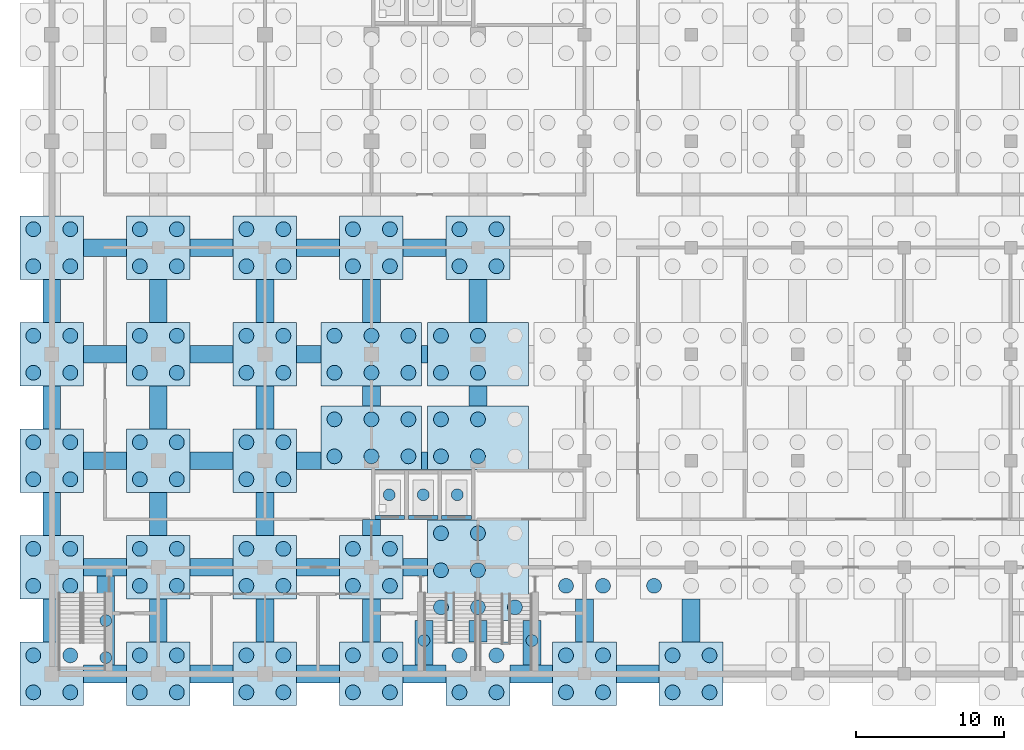
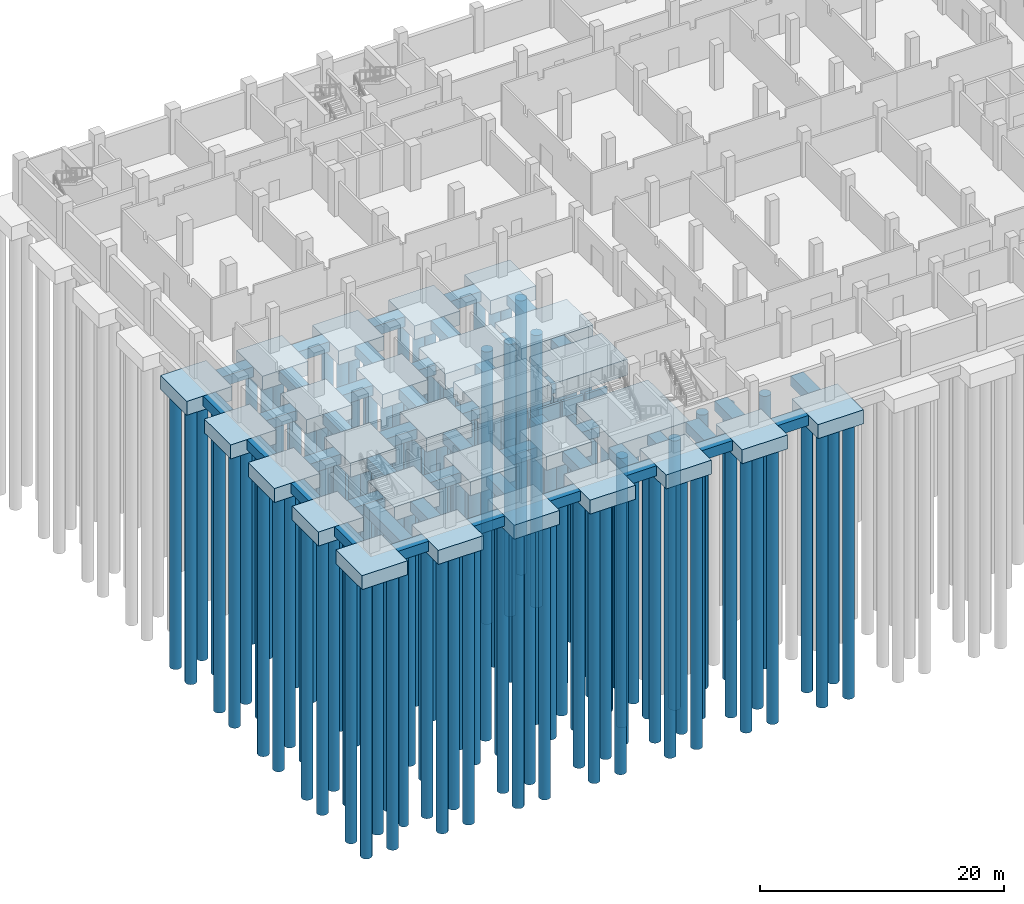
# One storey, part 1 of 19: 125 piles, 76 footings.
"""IFC4 building model written with IfcOpenShell, lengths in metres."""

from ifc_helpers import new_model, si_unit, direction, frame, origin, origin_2d, place, context, subcontext, project, spatial, rectangle, circle, extrude, material, material_profile, profile_set, type_object, element, save


model = new_model("IFC4")

# Units and contexts
model_context = context("Model", 3, precision=1e-05, world=origin(), true_north=direction((0.0, 1.0)))
body_context = subcontext(model_context, "Body", "Model", "MODEL_VIEW")
ifc_project = project(units=[si_unit("LENGTHUNIT", "METRE"), si_unit("AREAUNIT", "SQUARE_METRE"), si_unit("VOLUMEUNIT", "CUBIC_METRE"), si_unit("PLANEANGLEUNIT", "RADIAN"), si_unit("MASSUNIT", "GRAM", prefix="KILO")], contexts=[model_context])

# Site, building, storey
site_placement = place(None, origin())
site = spatial("IfcSite", under=ifc_project, at=site_placement, CompositionType="ELEMENT")
building_placement = place(site_placement, origin())
building = spatial("IfcBuilding", under=site, at=building_placement, Name="Silangan Lancet Faculty of Sciences", CompositionType="ELEMENT")
storey_placement = place(building_placement, frame((0.0, 0.0, -4.5)))
storey = spatial("IfcBuildingStorey", under=building, at=storey_placement, Name="B1", CompositionType="ELEMENT", Elevation=-4.5)

# Footings
ifc_material_1 = material(Name="Concrete C40/50", Category="concrete")
footing_type_1 = type_object("IfcFootingType", Name="LIFT PIT WALL RC 250", PredefinedType="STRIP_FOOTING", material=ifc_material_1)
for number, where, z_axis, x_axis, name in (
    (1, (22.85009765625, 10.574951171875, -1.60009765625), (0.0, 0.0, 1.0), (1.0, 0.0, 0.0), "PITWALL-ST-L1"),
    (2, (25.10009765625, 10.574951171875, -1.60009765625), (0.0, 0.0, 1.0), (1.0, 0.0, 0.0), "PITWALL-ST-L2"),
    (3, (27.35009765625, 10.574951171875, -1.60009765625), (0.0, 0.0, 1.0), (1.0, 0.0, 0.0), "PITWALL-ST-L3"),
):
    element("IfcFooting", number, at=place(storey_placement, frame(where, z_axis=z_axis, x_axis=x_axis)), inside=storey, type_object=footing_type_1, Name=name, PredefinedType="STRIP_FOOTING", context=body_context, shape_type="SweptSolid", body=[
        extrude(rectangle(XDim=2.0, YDim=0.25, at=origin_2d()), origin(), (0.0, 0.0, 1.0), 1.60009765625),
    ])

# Piles
ifc_material_2 = material(Name="Concrete C30/37", Category="concrete")
ifc_material_profile_1 = material_profile(ifc_material_2, circle(Radius=0.5, at=origin_2d()), Name="BORED PILE D1000")
ifc_profile_set_1 = profile_set([ifc_material_profile_1], Name="Concrete C30/37")
pile_type_1 = type_object("IfcPileType", Name="PILE BORED D1000", PredefinedType="BORED", material=ifc_profile_set_1)
for number, where, z_axis, x_axis, name in (
    (4, (-1.25, -1.25, -2.0), (0.0, 0.0, -1.0), (1.0, 0.0, 0.0), "PILE-1A-1"),
    (5, (1.25, -1.25, -2.0), (0.0, 0.0, -1.0), (1.0, 0.0, 0.0), "PILE-1A-2"),
    (6, (-1.25, 1.25, -2.0), (0.0, 0.0, -1.0), (1.0, 0.0, 0.0), "PILE-1A-3"),
    (7, (1.25, 1.25, -2.0), (0.0, 0.0, -1.0), (1.0, 0.0, 0.0), "PILE-1A-4"),
    (8, (-1.25, 5.949951171875, -2.0), (0.0, 0.0, -1.0), (1.0, 0.0, 0.0), "PILE-1B-1"),
    (9, (1.25, 5.949951171875, -2.0), (0.0, 0.0, -1.0), (1.0, 0.0, 0.0), "PILE-1B-2"),
    (10, (-1.25, 8.449951171875, -2.0), (0.0, 0.0, -1.0), (1.0, 0.0, 0.0), "PILE-1B-3"),
    (11, (1.25, 8.449951171875, -2.0), (0.0, 0.0, -1.0), (1.0, 0.0, 0.0), "PILE-1B-4"),
    (12, (-1.25, 13.14990234375, -2.0), (0.0, 0.0, -1.0), (1.0, 0.0, 0.0), "PILE-1C-1"),
    (13, (1.25, 13.14990234375, -2.0), (0.0, 0.0, -1.0), (1.0, 0.0, 0.0), "PILE-1C-2"),
    (14, (-1.25, 15.64990234375, -2.0), (0.0, 0.0, -1.0), (1.0, 0.0, 0.0), "PILE-1C-3"),
    (15, (1.25, 15.64990234375, -2.0), (0.0, 0.0, -1.0), (1.0, 0.0, 0.0), "PILE-1C-4"),
    (16, (-1.25, 20.35009765625, -2.0), (0.0, 0.0, -1.0), (1.0, 0.0, 0.0), "PILE-1D-1"),
    (17, (1.25, 20.35009765625, -2.0), (0.0, 0.0, -1.0), (1.0, 0.0, 0.0), "PILE-1D-2"),
    (18, (-1.25, 22.85009765625, -2.0), (0.0, 0.0, -1.0), (1.0, 0.0, 0.0), "PILE-1D-3"),
    (19, (1.25, 22.85009765625, -2.0), (0.0, 0.0, -1.0), (1.0, 0.0, 0.0), "PILE-1D-4"),
    (20, (-1.25, 27.550048828125, -2.0), (0.0, 0.0, -1.0), (1.0, 0.0, 0.0), "PILE-1E-1"),
    (21, (1.25, 27.550048828125, -2.0), (0.0, 0.0, -1.0), (1.0, 0.0, 0.0), "PILE-1E-2"),
    (22, (-1.25, 30.050048828125, -2.0), (0.0, 0.0, -1.0), (1.0, 0.0, 0.0), "PILE-1E-3"),
    (23, (1.25, 30.050048828125, -2.0), (0.0, 0.0, -1.0), (1.0, 0.0, 0.0), "PILE-1E-4"),
    (24, (5.949951171875, -1.25, -2.0), (0.0, 0.0, -1.0), (1.0, 0.0, 0.0), "PILE-2A-1"),
    (25, (8.449951171875, -1.25, -2.0), (0.0, 0.0, -1.0), (1.0, 0.0, 0.0), "PILE-2A-2"),
    (26, (5.949951171875, 1.25, -2.0), (0.0, 0.0, -1.0), (1.0, 0.0, 0.0), "PILE-2A-3"),
    (27, (8.449951171875, 1.25, -2.0), (0.0, 0.0, -1.0), (1.0, 0.0, 0.0), "PILE-2A-4"),
    (28, (5.949951171875, 5.949951171875, -2.0), (0.0, 0.0, -1.0), (1.0, 0.0, 0.0), "PILE-2B-1"),
    (29, (8.449951171875, 5.949951171875, -2.0), (0.0, 0.0, -1.0), (1.0, 0.0, 0.0), "PILE-2B-2"),
    (30, (5.949951171875, 8.449951171875, -2.0), (0.0, 0.0, -1.0), (1.0, 0.0, 0.0), "PILE-2B-3"),
    (31, (8.449951171875, 8.449951171875, -2.0), (0.0, 0.0, -1.0), (1.0, 0.0, 0.0), "PILE-2B-4"),
    (32, (5.949951171875, 13.14990234375, -2.0), (0.0, 0.0, -1.0), (1.0, 0.0, 0.0), "PILE-2C-1"),
    (33, (8.449951171875, 13.14990234375, -2.0), (0.0, 0.0, -1.0), (1.0, 0.0, 0.0), "PILE-2C-2"),
    (34, (5.949951171875, 15.64990234375, -2.0), (0.0, 0.0, -1.0), (1.0, 0.0, 0.0), "PILE-2C-3"),
    (35, (8.449951171875, 15.64990234375, -2.0), (0.0, 0.0, -1.0), (1.0, 0.0, 0.0), "PILE-2C-4"),
    (36, (5.949951171875, 20.35009765625, -2.0), (0.0, 0.0, -1.0), (1.0, 0.0, 0.0), "PILE-2D-1"),
    (37, (8.449951171875, 20.35009765625, -2.0), (0.0, 0.0, -1.0), (1.0, 0.0, 0.0), "PILE-2D-2"),
    (38, (5.949951171875, 22.85009765625, -2.0), (0.0, 0.0, -1.0), (1.0, 0.0, 0.0), "PILE-2D-3"),
    (39, (8.449951171875, 22.85009765625, -2.0), (0.0, 0.0, -1.0), (1.0, 0.0, 0.0), "PILE-2D-4"),
    (40, (5.949951171875, 27.550048828125, -2.0), (0.0, 0.0, -1.0), (1.0, 0.0, 0.0), "PILE-2E-1"),
    (41, (8.449951171875, 27.550048828125, -2.0), (0.0, 0.0, -1.0), (1.0, 0.0, 0.0), "PILE-2E-2"),
    (42, (5.949951171875, 30.050048828125, -2.0), (0.0, 0.0, -1.0), (1.0, 0.0, 0.0), "PILE-2E-3"),
    (43, (8.449951171875, 30.050048828125, -2.0), (0.0, 0.0, -1.0), (1.0, 0.0, 0.0), "PILE-2E-4"),
    (44, (13.14990234375, -1.25, -2.0), (0.0, 0.0, -1.0), (1.0, 0.0, 0.0), "PILE-3A-1"),
    (45, (15.64990234375, -1.25, -2.0), (0.0, 0.0, -1.0), (1.0, 0.0, 0.0), "PILE-3A-2"),
    (46, (13.14990234375, 1.25, -2.0), (0.0, 0.0, -1.0), (1.0, 0.0, 0.0), "PILE-3A-3"),
    (47, (15.64990234375, 1.25, -2.0), (0.0, 0.0, -1.0), (1.0, 0.0, 0.0), "PILE-3A-4"),
    (48, (13.14990234375, 5.949951171875, -2.0), (0.0, 0.0, -1.0), (1.0, 0.0, 0.0), "PILE-3B-1"),
    (49, (15.64990234375, 5.949951171875, -2.0), (0.0, 0.0, -1.0), (1.0, 0.0, 0.0), "PILE-3B-2"),
    (50, (13.14990234375, 8.449951171875, -2.0), (0.0, 0.0, -1.0), (1.0, 0.0, 0.0), "PILE-3B-3"),
    (51, (15.64990234375, 8.449951171875, -2.0), (0.0, 0.0, -1.0), (1.0, 0.0, 0.0), "PILE-3B-4"),
    (52, (13.14990234375, 13.14990234375, -2.0), (0.0, 0.0, -1.0), (1.0, 0.0, 0.0), "PILE-3C-1"),
    (53, (15.64990234375, 13.14990234375, -2.0), (0.0, 0.0, -1.0), (1.0, 0.0, 0.0), "PILE-3C-2"),
    (54, (13.14990234375, 15.64990234375, -2.0), (0.0, 0.0, -1.0), (1.0, 0.0, 0.0), "PILE-3C-3"),
    (55, (15.64990234375, 15.64990234375, -2.0), (0.0, 0.0, -1.0), (1.0, 0.0, 0.0), "PILE-3C-4"),
    (56, (13.14990234375, 20.35009765625, -2.0), (0.0, 0.0, -1.0), (1.0, 0.0, 0.0), "PILE-3D-1"),
    (57, (15.64990234375, 20.35009765625, -2.0), (0.0, 0.0, -1.0), (1.0, 0.0, 0.0), "PILE-3D-2"),
    (58, (13.14990234375, 22.85009765625, -2.0), (0.0, 0.0, -1.0), (1.0, 0.0, 0.0), "PILE-3D-3"),
    (59, (15.64990234375, 22.85009765625, -2.0), (0.0, 0.0, -1.0), (1.0, 0.0, 0.0), "PILE-3D-4"),
    (60, (13.14990234375, 27.550048828125, -2.0), (0.0, 0.0, -1.0), (1.0, 0.0, 0.0), "PILE-3E-1"),
    (61, (15.64990234375, 27.550048828125, -2.0), (0.0, 0.0, -1.0), (1.0, 0.0, 0.0), "PILE-3E-2"),
    (62, (13.14990234375, 30.050048828125, -2.0), (0.0, 0.0, -1.0), (1.0, 0.0, 0.0), "PILE-3E-3"),
    (63, (15.64990234375, 30.050048828125, -2.0), (0.0, 0.0, -1.0), (1.0, 0.0, 0.0), "PILE-3E-4"),
    (64, (20.35009765625, -1.25, -2.0), (0.0, 0.0, -1.0), (1.0, 0.0, 0.0), "PILE-4A-1"),
    (65, (22.85009765625, -1.25, -2.0), (0.0, 0.0, -1.0), (1.0, 0.0, 0.0), "PILE-4A-2"),
    (66, (20.35009765625, 1.25, -2.0), (0.0, 0.0, -1.0), (1.0, 0.0, 0.0), "PILE-4A-3"),
    (67, (22.85009765625, 1.25, -2.0), (0.0, 0.0, -1.0), (1.0, 0.0, 0.0), "PILE-4A-4"),
    (68, (20.35009765625, 5.949951171875, -2.0), (0.0, 0.0, -1.0), (1.0, 0.0, 0.0), "PILE-4B-1"),
    (69, (22.85009765625, 5.949951171875, -2.0), (0.0, 0.0, -1.0), (1.0, 0.0, 0.0), "PILE-4B-2"),
    (70, (20.35009765625, 8.449951171875, -2.0), (0.0, 0.0, -1.0), (1.0, 0.0, 0.0), "PILE-4B-3"),
    (71, (22.85009765625, 8.449951171875, -2.0), (0.0, 0.0, -1.0), (1.0, 0.0, 0.0), "PILE-4B-4"),
):
    element("IfcPile", number, at=place(storey_placement, frame(where, z_axis=z_axis, x_axis=x_axis)), inside=storey, type_object=pile_type_1, Name=name, PredefinedType="BORED", context=body_context, shape_type="SweptSolid", body=[
        extrude(circle(Radius=0.5, at=origin_2d()), origin(), (0.0, 0.0, 1.0), 27.5),
    ])
for number, where, z_axis, x_axis, name in (
    (72, (19.10009765625, 14.699951171875, -2.199951171875), (0.0, 0.0, -1.0), (1.0, 0.0, 0.0), "PILE-4C-1"),
    (73, (21.60009765625, 14.699951171875, -2.199951171875), (0.0, 0.0, -1.0), (1.0, 0.0, 0.0), "PILE-4C-2"),
    (74, (24.10009765625, 14.699951171875, -2.199951171875), (0.0, 0.0, -1.0), (1.0, 0.0, 0.0), "PILE-4C-3"),
    (75, (19.10009765625, 17.199951171875, -2.199951171875), (0.0, 0.0, -1.0), (1.0, 0.0, 0.0), "PILE-4C-4"),
    (76, (21.60009765625, 17.199951171875, -2.199951171875), (0.0, 0.0, -1.0), (1.0, 0.0, 0.0), "PILE-4C-5"),
    (77, (24.10009765625, 17.199951171875, -2.199951171875), (0.0, 0.0, -1.0), (1.0, 0.0, 0.0), "PILE-4C-6"),
    (78, (19.10009765625, 20.35009765625, -2.199951171875), (0.0, 0.0, -1.0), (1.0, 0.0, 0.0), "PILE-4D-1"),
    (79, (21.60009765625, 20.35009765625, -2.199951171875), (0.0, 0.0, -1.0), (1.0, 0.0, 0.0), "PILE-4D-2"),
    (80, (24.10009765625, 20.35009765625, -2.199951171875), (0.0, 0.0, -1.0), (1.0, 0.0, 0.0), "PILE-4D-3"),
    (81, (19.10009765625, 22.85009765625, -2.199951171875), (0.0, 0.0, -1.0), (1.0, 0.0, 0.0), "PILE-4D-4"),
    (82, (21.60009765625, 22.85009765625, -2.199951171875), (0.0, 0.0, -1.0), (1.0, 0.0, 0.0), "PILE-4D-5"),
    (83, (24.10009765625, 22.85009765625, -2.199951171875), (0.0, 0.0, -1.0), (1.0, 0.0, 0.0), "PILE-4D-6"),
):
    element("IfcPile", number, at=place(storey_placement, frame(where, z_axis=z_axis, x_axis=x_axis)), inside=storey, type_object=pile_type_1, Name=name, PredefinedType="BORED", context=body_context, shape_type="SweptSolid", body=[
        extrude(circle(Radius=0.5, at=origin_2d()), origin(), (0.0, 0.0, 1.0), 27.300048828125),
    ])
for number, where, z_axis, x_axis, name in (
    (84, (20.35009765625, 27.550048828125, -2.0), (0.0, 0.0, -1.0), (1.0, 0.0, 0.0), "PILE-4E-1"),
    (85, (22.85009765625, 27.550048828125, -2.0), (0.0, 0.0, -1.0), (1.0, 0.0, 0.0), "PILE-4E-2"),
    (86, (20.35009765625, 30.050048828125, -2.0), (0.0, 0.0, -1.0), (1.0, 0.0, 0.0), "PILE-4E-3"),
    (87, (22.85009765625, 30.050048828125, -2.0), (0.0, 0.0, -1.0), (1.0, 0.0, 0.0), "PILE-4E-4"),
    (88, (27.550048828125, -1.25, -2.0), (0.0, 0.0, -1.0), (1.0, 0.0, 0.0), "PILE-5A-1"),
    (89, (30.050048828125, -1.25, -2.0), (0.0, 0.0, -1.0), (1.0, 0.0, 0.0), "PILE-5A-2"),
    (90, (27.550048828125, 1.25, -2.0), (0.0, 0.0, -1.0), (1.0, 0.0, 0.0), "PILE-5A-3"),
    (91, (30.050048828125, 1.25, -2.0), (0.0, 0.0, -1.0), (1.0, 0.0, 0.0), "PILE-5A-4"),
):
    element("IfcPile", number, at=place(storey_placement, frame(where, z_axis=z_axis, x_axis=x_axis)), inside=storey, type_object=pile_type_1, Name=name, PredefinedType="BORED", context=body_context, shape_type="SweptSolid", body=[
        extrude(circle(Radius=0.5, at=origin_2d()), origin(), (0.0, 0.0, 1.0), 27.5),
    ])
for number, where, z_axis, x_axis, name in (
    (92, (26.300048828125, 4.5, -2.5), (0.0, 0.0, -1.0), (1.0, 0.0, 0.0), "PILE-5B-1"),
    (93, (28.800048828125, 4.5, -2.5), (0.0, 0.0, -1.0), (1.0, 0.0, 0.0), "PILE-5B-2"),
    (94, (31.300048828125, 4.5, -2.5), (0.0, 0.0, -1.0), (1.0, 0.0, 0.0), "PILE-5B-3"),
    (95, (26.300048828125, 7.0, -2.5), (0.0, 0.0, -1.0), (1.0, 0.0, 0.0), "PILE-5B-4"),
    (96, (28.800048828125, 7.0, -2.5), (0.0, 0.0, -1.0), (1.0, 0.0, 0.0), "PILE-5B-5"),
    (97, (26.300048828125, 9.5, -2.5), (0.0, 0.0, -1.0), (1.0, 0.0, 0.0), "PILE-5B-7"),
    (98, (28.800048828125, 9.5, -2.5), (0.0, 0.0, -1.0), (1.0, 0.0, 0.0), "PILE-5B-8"),
):
    element("IfcPile", number, at=place(storey_placement, frame(where, z_axis=z_axis, x_axis=x_axis)), inside=storey, type_object=pile_type_1, Name=name, PredefinedType="BORED", context=body_context, shape_type="SweptSolid", body=[
        extrude(circle(Radius=0.5, at=origin_2d()), origin(), (0.0, 0.0, 1.0), 27.0),
    ])
for number, where, z_axis, x_axis, name in (
    (99, (26.300048828125, 14.699951171875, -2.199951171875), (0.0, 0.0, -1.0), (1.0, 0.0, 0.0), "PILE-5C-1"),
    (100, (28.800048828125, 14.699951171875, -2.199951171875), (0.0, 0.0, -1.0), (1.0, 0.0, 0.0), "PILE-5C-2"),
    (101, (26.300048828125, 17.199951171875, -2.199951171875), (0.0, 0.0, -1.0), (1.0, 0.0, 0.0), "PILE-5C-4"),
    (102, (28.800048828125, 17.199951171875, -2.199951171875), (0.0, 0.0, -1.0), (1.0, 0.0, 0.0), "PILE-5C-5"),
    (103, (26.300048828125, 20.35009765625, -2.199951171875), (0.0, 0.0, -1.0), (1.0, 0.0, 0.0), "PILE-5D-1"),
    (104, (28.800048828125, 20.35009765625, -2.199951171875), (0.0, 0.0, -1.0), (1.0, 0.0, 0.0), "PILE-5D-2"),
    (105, (26.300048828125, 22.85009765625, -2.199951171875), (0.0, 0.0, -1.0), (1.0, 0.0, 0.0), "PILE-5D-4"),
    (106, (28.800048828125, 22.85009765625, -2.199951171875), (0.0, 0.0, -1.0), (1.0, 0.0, 0.0), "PILE-5D-5"),
):
    element("IfcPile", number, at=place(storey_placement, frame(where, z_axis=z_axis, x_axis=x_axis)), inside=storey, type_object=pile_type_1, Name=name, PredefinedType="BORED", context=body_context, shape_type="SweptSolid", body=[
        extrude(circle(Radius=0.5, at=origin_2d()), origin(), (0.0, 0.0, 1.0), 27.300048828125),
    ])
for number, where, z_axis, x_axis, name in (
    (107, (27.550048828125, 27.550048828125, -2.0), (0.0, 0.0, -1.0), (1.0, 0.0, 0.0), "PILE-5E-1"),
    (108, (30.050048828125, 27.550048828125, -2.0), (0.0, 0.0, -1.0), (1.0, 0.0, 0.0), "PILE-5E-2"),
    (109, (27.550048828125, 30.050048828125, -2.0), (0.0, 0.0, -1.0), (1.0, 0.0, 0.0), "PILE-5E-3"),
    (110, (30.050048828125, 30.050048828125, -2.0), (0.0, 0.0, -1.0), (1.0, 0.0, 0.0), "PILE-5E-4"),
    (111, (34.75, -1.25, -2.0), (0.0, 0.0, -1.0), (1.0, 0.0, 0.0), "PILE-6A-1"),
    (112, (37.25, -1.25, -2.0), (0.0, 0.0, -1.0), (1.0, 0.0, 0.0), "PILE-6A-2"),
    (113, (34.75, 1.25, -2.0), (0.0, 0.0, -1.0), (1.0, 0.0, 0.0), "PILE-6A-3"),
    (114, (37.25, 1.25, -2.0), (0.0, 0.0, -1.0), (1.0, 0.0, 0.0), "PILE-6A-4"),
    (115, (34.75, 5.949951171875, -2.0), (0.0, 0.0, -1.0), (1.0, 0.0, 0.0), "PILE-6B-1"),
    (116, (37.25, 5.949951171875, -2.0), (0.0, 0.0, -1.0), (1.0, 0.0, 0.0), "PILE-6B-2"),
    (117, (41.949951171875, -1.25, -2.0), (0.0, 0.0, -1.0), (1.0, 0.0, 0.0), "PILE-7A-1"),
    (118, (44.449951171875, -1.25, -2.0), (0.0, 0.0, -1.0), (1.0, 0.0, 0.0), "PILE-7A-2"),
    (119, (41.949951171875, 1.25, -2.0), (0.0, 0.0, -1.0), (1.0, 0.0, 0.0), "PILE-7A-3"),
    (120, (44.449951171875, 1.25, -2.0), (0.0, 0.0, -1.0), (1.0, 0.0, 0.0), "PILE-7A-4"),
):
    element("IfcPile", number, at=place(storey_placement, frame(where, z_axis=z_axis, x_axis=x_axis)), inside=storey, type_object=pile_type_1, Name=name, PredefinedType="BORED", context=body_context, shape_type="SweptSolid", body=[
        extrude(circle(Radius=0.5, at=origin_2d()), origin(), (0.0, 0.0, 1.0), 27.5),
    ])
pile_placement = place(storey_placement, frame((40.699951171875, 5.949951171875, -2.199951171875), z_axis=(0.0, 0.0, -1.0), x_axis=(1.0, 0.0, 0.0)))
element("IfcPile", 121, at=pile_placement, inside=storey, type_object=pile_type_1, Name="PILE-7B-1", PredefinedType="BORED", context=body_context, shape_type="SweptSolid", body=[
    extrude(circle(Radius=0.5, at=origin_2d()), origin(), (0.0, 0.0, 1.0), 27.300048828125),
])
ifc_material_3 = material(Name="Concrete C30/37", Category="concrete")
ifc_material_profile_2 = material_profile(ifc_material_3, circle(Radius=0.39990234375, at=origin_2d()), Name="BORED PILE D800")
ifc_profile_set_2 = profile_set([ifc_material_profile_2], Name="Concrete C30/37")
pile_type_2 = type_object("IfcPileType", Name="PILE BORED D800", PredefinedType="BORED", material=ifc_profile_set_2)
for number, where, z_axis, x_axis, name in (
    (122, (3.64990234375, 3.60009765625, -1.60009765625), (0.0, 0.0, -1.0), (1.0, 0.0, 0.0), "PILE-FB-WST-A-1"),
    (123, (3.64990234375, 1.10009765625, -1.60009765625), (0.0, 0.0, -1.0), (1.0, 0.0, 0.0), "PILE-FB-WST-A-2"),
    (124, (25.14990234375, 2.25, -1.60009765625), (0.0, 0.0, -1.0), (1.0, 0.0, 0.0), "PILE-FB-WST-B-1"),
    (125, (32.449951171875, 2.25, -1.60009765625), (0.0, 0.0, -1.0), (1.0, 0.0, 0.0), "PILE-FB-WSAB-A-1"),
):
    element("IfcPile", number, at=place(storey_placement, frame(where, z_axis=z_axis, x_axis=x_axis)), inside=storey, type_object=pile_type_2, Name=name, PredefinedType="BORED", context=body_context, shape_type="SweptSolid", body=[
        extrude(circle(Radius=0.39990234375, at=origin_2d()), origin(), (0.0, 0.0, 1.0), 27.89990234375),
    ])
for number, where, z_axis, x_axis, name in (
    (126, (22.800048828125, 12.10009765625, -2.199951171875), (0.0, 0.0, -1.0), (1.0, 0.0, 0.0), "PILE-PIT-ST-1"),
    (127, (25.10009765625, 12.10009765625, -2.199951171875), (0.0, 0.0, -1.0), (1.0, 0.0, 0.0), "PILE-PIT-ST-2"),
    (128, (27.39990234375, 12.10009765625, -2.199951171875), (0.0, 0.0, -1.0), (1.0, 0.0, 0.0), "PILE-PIT-ST-3"),
):
    element("IfcPile", number, at=place(storey_placement, frame(where, z_axis=z_axis, x_axis=x_axis)), inside=storey, type_object=pile_type_2, Name=name, PredefinedType="BORED", context=body_context, shape_type="SweptSolid", body=[
        extrude(circle(Radius=0.39990234375, at=origin_2d()), origin(), (0.0, 0.0, 1.0), 27.300048828125),
    ])

# Footings
ifc_material_4 = material(Name="Concrete C30/37", Category="concrete")
footing_type_2 = type_object("IfcFootingType", Name="PILE CAP 4 PILES 4300x4300x1400", PredefinedType="PILE_CAP", material=ifc_material_4)
for number, where, z_axis, x_axis, name in (
    (129, (0.0, 0.0, -2.0), (0.0, 0.0, 1.0), (1.0, 0.0, 0.0), "CAP-1A"),
    (130, (0.0, 7.199951171875, -2.0), (0.0, 0.0, 1.0), (1.0, 0.0, 0.0), "CAP-1B"),
    (131, (0.0, 14.39990234375, -2.0), (0.0, 0.0, 1.0), (1.0, 0.0, 0.0), "CAP-1C"),
    (132, (0.0, 21.60009765625, -2.0), (0.0, 0.0, 1.0), (1.0, 0.0, 0.0), "CAP-1D"),
    (133, (0.0, 28.800048828125, -2.0), (0.0, 0.0, 1.0), (1.0, 0.0, 0.0), "CAP-1E"),
    (134, (7.199951171875, 0.0, -2.0), (0.0, 0.0, 1.0), (1.0, 0.0, 0.0), "CAP-2A"),
    (135, (7.199951171875, 7.199951171875, -2.0), (0.0, 0.0, 1.0), (1.0, 0.0, 0.0), "CAP-2B"),
    (136, (7.199951171875, 14.39990234375, -2.0), (0.0, 0.0, 1.0), (1.0, 0.0, 0.0), "CAP-2C"),
    (137, (7.199951171875, 21.60009765625, -2.0), (0.0, 0.0, 1.0), (1.0, 0.0, 0.0), "CAP-2D"),
    (138, (7.199951171875, 28.800048828125, -2.0), (0.0, 0.0, 1.0), (1.0, 0.0, 0.0), "CAP-2E"),
    (139, (14.39990234375, 0.0, -2.0), (0.0, 0.0, 1.0), (1.0, 0.0, 0.0), "CAP-3A"),
    (140, (14.39990234375, 7.199951171875, -2.0), (0.0, 0.0, 1.0), (1.0, 0.0, 0.0), "CAP-3B"),
    (141, (14.39990234375, 14.39990234375, -2.0), (0.0, 0.0, 1.0), (1.0, 0.0, 0.0), "CAP-3C"),
    (142, (14.39990234375, 21.60009765625, -2.0), (0.0, 0.0, 1.0), (1.0, 0.0, 0.0), "CAP-3D"),
    (143, (14.39990234375, 28.800048828125, -2.0), (0.0, 0.0, 1.0), (1.0, 0.0, 0.0), "CAP-3E"),
    (144, (21.60009765625, 0.0, -2.0), (0.0, 0.0, 1.0), (1.0, 0.0, 0.0), "CAP-4A"),
    (145, (21.60009765625, 7.199951171875, -2.0), (0.0, 0.0, 1.0), (1.0, 0.0, 0.0), "CAP-4B"),
    (146, (21.60009765625, 28.800048828125, -2.0), (0.0, 0.0, 1.0), (1.0, 0.0, 0.0), "CAP-4E"),
    (147, (28.800048828125, 0.0, -2.0), (0.0, 0.0, 1.0), (1.0, 0.0, 0.0), "CAP-5A"),
    (148, (28.800048828125, 28.800048828125, -2.0), (0.0, 0.0, 1.0), (1.0, 0.0, 0.0), "CAP-5E"),
    (149, (36.0, 0.0, -2.0), (0.0, 0.0, 1.0), (1.0, 0.0, 0.0), "CAP-6A"),
    (150, (43.199951171875, 0.0, -2.0), (0.0, 0.0, 1.0), (1.0, 0.0, 0.0), "CAP-7A"),
):
    element("IfcFooting", number, at=place(storey_placement, frame(where, z_axis=z_axis, x_axis=x_axis)), inside=storey, type_object=footing_type_2, Name=name, PredefinedType="PILE_CAP", context=body_context, shape_type="SweptSolid", body=[
        extrude(rectangle(XDim=4.300048828125, YDim=4.300048828125, at=origin_2d()), origin(), (0.0, 0.0, 1.0), 1.39990234375),
    ])
ifc_material_5 = material(Name="Concrete C30/37", Category="concrete")
footing_type_3 = type_object("IfcFootingType", Name="PILE CAP 6 PILES 6800x4300x1600", PredefinedType="PILE_CAP", material=ifc_material_5)
for number, where, z_axis, x_axis, name in (
    (151, (21.60009765625, 15.949951171875, -2.199951171875), (0.0, 0.0, 1.0), (1.0, 0.0, 0.0), "CAP-4C"),
    (152, (21.60009765625, 21.60009765625, -2.199951171875), (0.0, 0.0, 1.0), (1.0, 0.0, 0.0), "CAP-4D"),
    (153, (28.800048828125, 15.949951171875, -2.199951171875), (0.0, 0.0, 1.0), (1.0, 0.0, 0.0), "CAP-5C"),
    (154, (28.800048828125, 21.60009765625, -2.199951171875), (0.0, 0.0, 1.0), (1.0, 0.0, 0.0), "CAP-5D"),
):
    element("IfcFooting", number, at=place(storey_placement, frame(where, z_axis=z_axis, x_axis=x_axis)), inside=storey, type_object=footing_type_3, Name=name, PredefinedType="PILE_CAP", context=body_context, shape_type="SweptSolid", body=[
        extrude(rectangle(XDim=6.800048828125, YDim=4.300048828125, at=origin_2d()), origin(), (0.0, 0.0, 1.0), 1.60009765625),
    ])
ifc_material_6 = material(Name="Concrete C30/37", Category="concrete")
footing_type_4 = type_object("IfcFootingType", Name="PILE CAP 9 PILES 6800x6800x1900", PredefinedType="PILE_CAP", material=ifc_material_6)
footing_1_placement = place(storey_placement, frame((28.800048828125, 7.0, -2.5), z_axis=(0.0, 0.0, 1.0), x_axis=(1.0, 0.0, 0.0)))
element("IfcFooting", 155, at=footing_1_placement, inside=storey, type_object=footing_type_4, Name="CAP-5B", PredefinedType="PILE_CAP", context=body_context, shape_type="SweptSolid", body=[
    extrude(rectangle(XDim=6.800048828125, YDim=6.800048828125, at=origin_2d()), origin(), (0.0, 0.0, 1.0), 1.89990234375),
])
ifc_material_7 = material(Name="Concrete C30/37", Category="concrete")
footing_type_5 = type_object("IfcFootingType", Name="PILE CAP BEAM 1200x1000", PredefinedType="FOOTING_BEAM", material=ifc_material_7)
for number, where, z_axis, x_axis, name in (
    (156, (3.60009765625, 0.0, -1.60009765625), (0.0, 0.0, 1.0), (1.0, 0.0, 0.0), "FB-1A-2A"),
    (157, (10.800048828125, 0.0, -1.60009765625), (0.0, 0.0, 1.0), (1.0, 0.0, 0.0), "FB-2A-3A"),
    (158, (18.0, 0.0, -1.60009765625), (0.0, 0.0, 1.0), (1.0, 0.0, 0.0), "FB-3A-4A"),
    (159, (25.199951171875, 0.0, -1.60009765625), (0.0, 0.0, 1.0), (1.0, 0.0, 0.0), "FB-4A-5A"),
    (160, (32.39990234375, 0.0, -1.60009765625), (0.0, 0.0, 1.0), (1.0, 0.0, 0.0), "FB-5A-6A"),
    (161, (39.60009765625, 0.0, -1.60009765625), (0.0, 0.0, 1.0), (1.0, 0.0, 0.0), "FB-6A-7A"),
    (162, (0.0, 3.60009765625, -1.60009765625), (0.0, 0.0, 1.0), (0.0, 1.0, 0.0), "FB-1A-1B"),
    (163, (0.0, 10.800048828125, -1.60009765625), (0.0, 0.0, 1.0), (0.0, 1.0, 0.0), "FB-1B-1C"),
    (164, (0.0, 18.0, -1.60009765625), (0.0, 0.0, 1.0), (0.0, 1.0, 0.0), "FB-1C-1D"),
    (165, (0.0, 25.199951171875, -1.60009765625), (0.0, 0.0, 1.0), (0.0, 1.0, 0.0), "FB-1D-1E"),
    (166, (7.199951171875, 3.60009765625, -1.60009765625), (0.0, 0.0, 1.0), (0.0, 1.0, 0.0), "FB-2A-2B"),
    (167, (7.199951171875, 10.800048828125, -1.60009765625), (0.0, 0.0, 1.0), (0.0, 1.0, 0.0), "FB-2B-2C"),
    (168, (7.199951171875, 18.0, -1.60009765625), (0.0, 0.0, 1.0), (0.0, 1.0, 0.0), "FB-2C-2D"),
    (169, (7.199951171875, 25.199951171875, -1.60009765625), (0.0, 0.0, 1.0), (0.0, 1.0, 0.0), "FB-2D-2E"),
    (170, (14.39990234375, 3.60009765625, -1.60009765625), (0.0, 0.0, 1.0), (0.0, 1.0, 0.0), "FB-3A-3B"),
    (171, (14.39990234375, 10.800048828125, -1.60009765625), (0.0, 0.0, 1.0), (0.0, 1.0, 0.0), "FB-3B-3C"),
    (172, (14.39990234375, 18.0, -1.60009765625), (0.0, 0.0, 1.0), (0.0, 1.0, 0.0), "FB-3C-3D"),
    (173, (14.39990234375, 25.199951171875, -1.60009765625), (0.0, 0.0, 1.0), (0.0, 1.0, 0.0), "FB-3D-3E"),
    (174, (21.60009765625, 3.60009765625, -1.60009765625), (0.0, 0.0, 1.0), (0.0, 1.0, 0.0), "FB-4A-4B"),
):
    element("IfcFooting", number, at=place(storey_placement, frame(where, z_axis=z_axis, x_axis=x_axis)), inside=storey, type_object=footing_type_5, Name=name, PredefinedType="FOOTING_BEAM", context=body_context, shape_type="SweptSolid", body=[
        extrude(rectangle(XDim=2.89990234375, YDim=1.199951171875, at=origin_2d()), origin(), (0.0, 0.0, 1.0), 1.0),
    ])
footing_2_placement = place(storey_placement, frame((21.60009765625, 9.89990234375, -1.60009765625), z_axis=(0.0, 0.0, 1.0), x_axis=(0.0, 1.0, 0.0)))
element("IfcFooting", 175, at=footing_2_placement, inside=storey, type_object=footing_type_5, Name="FB-4B-4C", PredefinedType="FOOTING_BEAM", context=body_context, shape_type="SweptSolid", body=[
    extrude(rectangle(XDim=1.10009765625, YDim=1.199951171875, at=origin_2d()), origin(), (0.0, 0.0, 1.0), 1.0),
])
footing_3_placement = place(storey_placement, frame((21.60009765625, 18.77490234375, -1.60009765625), z_axis=(0.0, 0.0, 1.0), x_axis=(0.0, 1.0, 0.0)))
element("IfcFooting", 176, at=footing_3_placement, inside=storey, type_object=footing_type_5, Name="FB-4C-4D", PredefinedType="FOOTING_BEAM", context=body_context, shape_type="SweptSolid", body=[
    extrude(rectangle(XDim=1.35009765625, YDim=1.199951171875, at=origin_2d()), origin(), (0.0, 0.0, 1.0), 1.0),
])
footing_4_placement = place(storey_placement, frame((21.60009765625, 25.199951171875, -1.60009765625), z_axis=(0.0, 0.0, 1.0), x_axis=(0.0, 1.0, 0.0)))
element("IfcFooting", 177, at=footing_4_placement, inside=storey, type_object=footing_type_5, Name="FB-4D-4E", PredefinedType="FOOTING_BEAM", context=body_context, shape_type="SweptSolid", body=[
    extrude(rectangle(XDim=2.89990234375, YDim=1.199951171875, at=origin_2d()), origin(), (0.0, 0.0, 1.0), 1.0),
])
footing_5_placement = place(storey_placement, frame((28.800048828125, 2.875, -1.60009765625), z_axis=(0.0, 0.0, 1.0), x_axis=(0.0, 1.0, 0.0)))
element("IfcFooting", 178, at=footing_5_placement, inside=storey, type_object=footing_type_5, Name="FB-5A-5B", PredefinedType="FOOTING_BEAM", context=body_context, shape_type="SweptSolid", body=[
    extrude(rectangle(XDim=1.449951171875, YDim=1.199951171875, at=origin_2d()), origin(), (0.0, 0.0, 1.0), 1.0),
])
footing_6_placement = place(storey_placement, frame((28.800048828125, 18.77490234375, -1.60009765625), z_axis=(0.0, 0.0, 1.0), x_axis=(0.0, 1.0, 0.0)))
element("IfcFooting", 179, at=footing_6_placement, inside=storey, type_object=footing_type_5, Name="FB-5C-5D", PredefinedType="FOOTING_BEAM", context=body_context, shape_type="SweptSolid", body=[
    extrude(rectangle(XDim=1.35009765625, YDim=1.199951171875, at=origin_2d()), origin(), (0.0, 0.0, 1.0), 1.0),
])
for number, where, z_axis, x_axis, name in (
    (180, (28.800048828125, 25.199951171875, -1.60009765625), (0.0, 0.0, 1.0), (0.0, 1.0, 0.0), "FB-5D-5E"),
    (181, (36.0, 3.60009765625, -1.60009765625), (0.0, 0.0, 1.0), (0.0, 1.0, 0.0), "FB-6A-6B"),
    (182, (43.199951171875, 3.60009765625, -1.60009765625), (0.0, 0.0, 1.0), (0.0, 1.0, 0.0), "FB-7A-7B"),
    (183, (3.60009765625, 7.199951171875, -1.60009765625), (0.0, 0.0, 1.0), (1.0, 0.0, 0.0), "FB-1B-2B"),
    (184, (10.800048828125, 7.199951171875, -1.60009765625), (0.0, 0.0, 1.0), (1.0, 0.0, 0.0), "FB-2B-3B"),
    (185, (18.0, 7.199951171875, -1.60009765625), (0.0, 0.0, 1.0), (1.0, 0.0, 0.0), "FB-3B-4B"),
):
    element("IfcFooting", number, at=place(storey_placement, frame(where, z_axis=z_axis, x_axis=x_axis)), inside=storey, type_object=footing_type_5, Name=name, PredefinedType="FOOTING_BEAM", context=body_context, shape_type="SweptSolid", body=[
        extrude(rectangle(XDim=2.89990234375, YDim=1.199951171875, at=origin_2d()), origin(), (0.0, 0.0, 1.0), 1.0),
    ])
footing_7_placement = place(storey_placement, frame((24.574951171875, 7.199951171875, -1.60009765625), z_axis=(0.0, 0.0, 1.0), x_axis=(1.0, 0.0, 0.0)))
element("IfcFooting", 186, at=footing_7_placement, inside=storey, type_object=footing_type_5, Name="FB-4B-5B", PredefinedType="FOOTING_BEAM", context=body_context, shape_type="SweptSolid", body=[
    extrude(rectangle(XDim=1.64990234375, YDim=1.199951171875, at=origin_2d()), origin(), (0.0, 0.0, 1.0), 1.0),
])
for number, where, z_axis, x_axis, name in (
    (187, (3.60009765625, 14.39990234375, -1.60009765625), (0.0, 0.0, 1.0), (1.0, 0.0, 0.0), "FB-1C-2C"),
    (188, (10.800048828125, 14.39990234375, -1.60009765625), (0.0, 0.0, 1.0), (1.0, 0.0, 0.0), "FB-2C-3C"),
):
    element("IfcFooting", number, at=place(storey_placement, frame(where, z_axis=z_axis, x_axis=x_axis)), inside=storey, type_object=footing_type_5, Name=name, PredefinedType="FOOTING_BEAM", context=body_context, shape_type="SweptSolid", body=[
        extrude(rectangle(XDim=2.89990234375, YDim=1.199951171875, at=origin_2d()), origin(), (0.0, 0.0, 1.0), 1.0),
    ])
footing_8_placement = place(storey_placement, frame((17.375, 14.39990234375, -1.60009765625), z_axis=(0.0, 0.0, 1.0), x_axis=(1.0, 0.0, 0.0)))
element("IfcFooting", 189, at=footing_8_placement, inside=storey, type_object=footing_type_5, Name="FB-3C-4C", PredefinedType="FOOTING_BEAM", context=body_context, shape_type="SweptSolid", body=[
    extrude(rectangle(XDim=1.64990234375, YDim=1.199951171875, at=origin_2d()), origin(), (0.0, 0.0, 1.0), 1.0),
])
footing_9_placement = place(storey_placement, frame((25.199951171875, 14.39990234375, -1.60009765625), z_axis=(0.0, 0.0, 1.0), x_axis=(1.0, 0.0, 0.0)))
element("IfcFooting", 190, at=footing_9_placement, inside=storey, type_object=footing_type_5, Name="FB-4C-5C", PredefinedType="FOOTING_BEAM", context=body_context, shape_type="SweptSolid", body=[
    extrude(rectangle(XDim=0.39990234375, YDim=1.199951171875, at=origin_2d()), origin(), (0.0, 0.0, 1.0), 1.0),
])
for number, where, z_axis, x_axis, name in (
    (191, (3.60009765625, 21.60009765625, -1.60009765625), (0.0, 0.0, 1.0), (1.0, 0.0, 0.0), "FB-1D-2D"),
    (192, (10.800048828125, 21.60009765625, -1.60009765625), (0.0, 0.0, 1.0), (1.0, 0.0, 0.0), "FB-2D-3D"),
):
    element("IfcFooting", number, at=place(storey_placement, frame(where, z_axis=z_axis, x_axis=x_axis)), inside=storey, type_object=footing_type_5, Name=name, PredefinedType="FOOTING_BEAM", context=body_context, shape_type="SweptSolid", body=[
        extrude(rectangle(XDim=2.89990234375, YDim=1.199951171875, at=origin_2d()), origin(), (0.0, 0.0, 1.0), 1.0),
    ])
footing_10_placement = place(storey_placement, frame((17.375, 21.60009765625, -1.60009765625), z_axis=(0.0, 0.0, 1.0), x_axis=(1.0, 0.0, 0.0)))
element("IfcFooting", 193, at=footing_10_placement, inside=storey, type_object=footing_type_5, Name="FB-3D-4D", PredefinedType="FOOTING_BEAM", context=body_context, shape_type="SweptSolid", body=[
    extrude(rectangle(XDim=1.64990234375, YDim=1.199951171875, at=origin_2d()), origin(), (0.0, 0.0, 1.0), 1.0),
])
footing_11_placement = place(storey_placement, frame((25.199951171875, 21.60009765625, -1.60009765625), z_axis=(0.0, 0.0, 1.0), x_axis=(1.0, 0.0, 0.0)))
element("IfcFooting", 194, at=footing_11_placement, inside=storey, type_object=footing_type_5, Name="FB-4D-5D", PredefinedType="FOOTING_BEAM", context=body_context, shape_type="SweptSolid", body=[
    extrude(rectangle(XDim=0.39990234375, YDim=1.199951171875, at=origin_2d()), origin(), (0.0, 0.0, 1.0), 1.0),
])
for number, where, z_axis, x_axis, name in (
    (195, (3.60009765625, 28.800048828125, -1.60009765625), (0.0, 0.0, 1.0), (1.0, 0.0, 0.0), "FB-1E-2E"),
    (196, (10.800048828125, 28.800048828125, -1.60009765625), (0.0, 0.0, 1.0), (1.0, 0.0, 0.0), "FB-2E-3E"),
    (197, (18.0, 28.800048828125, -1.60009765625), (0.0, 0.0, 1.0), (1.0, 0.0, 0.0), "FB-3E-4E"),
    (198, (25.199951171875, 28.800048828125, -1.60009765625), (0.0, 0.0, 1.0), (1.0, 0.0, 0.0), "FB-4E-5E"),
):
    element("IfcFooting", number, at=place(storey_placement, frame(where, z_axis=z_axis, x_axis=x_axis)), inside=storey, type_object=footing_type_5, Name=name, PredefinedType="FOOTING_BEAM", context=body_context, shape_type="SweptSolid", body=[
        extrude(rectangle(XDim=2.89990234375, YDim=1.199951171875, at=origin_2d()), origin(), (0.0, 0.0, 1.0), 1.0),
    ])
footing_12_placement = place(storey_placement, frame((3.64990234375, 3.60009765625, -1.60009765625), z_axis=(0.0, 0.0, 1.0), x_axis=(0.0, 1.0, 0.0)))
element("IfcFooting", 199, at=footing_12_placement, inside=storey, type_object=footing_type_5, Name="FB-WST-A", PredefinedType="FOOTING_BEAM", context=body_context, shape_type="SweptSolid", body=[
    extrude(rectangle(XDim=6.0, YDim=1.199951171875, at=origin_2d()), origin(), (0.0, 0.0, 1.0), 1.0),
])
for number, where, z_axis, x_axis, name in (
    (200, (25.14990234375, 2.10009765625, -1.60009765625), (0.0, 0.0, 1.0), (0.0, 1.0, 0.0), "FB-WST-B"),
    (201, (32.449951171875, 2.10009765625, -1.60009765625), (0.0, 0.0, 1.0), (0.0, 1.0, 0.0), "FB-WSAB-A"),
):
    element("IfcFooting", number, at=place(storey_placement, frame(where, z_axis=z_axis, x_axis=x_axis)), inside=storey, type_object=footing_type_5, Name=name, PredefinedType="FOOTING_BEAM", context=body_context, shape_type="SweptSolid", body=[
        extrude(rectangle(XDim=3.0, YDim=1.199951171875, at=origin_2d()), origin(), (0.0, 0.0, 1.0), 1.0),
    ])

save(model, "model.ifc")
